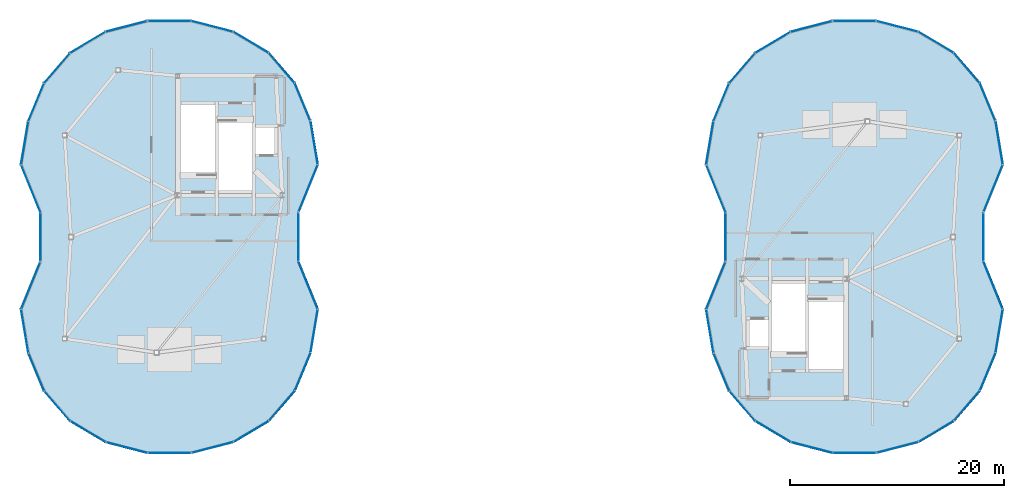
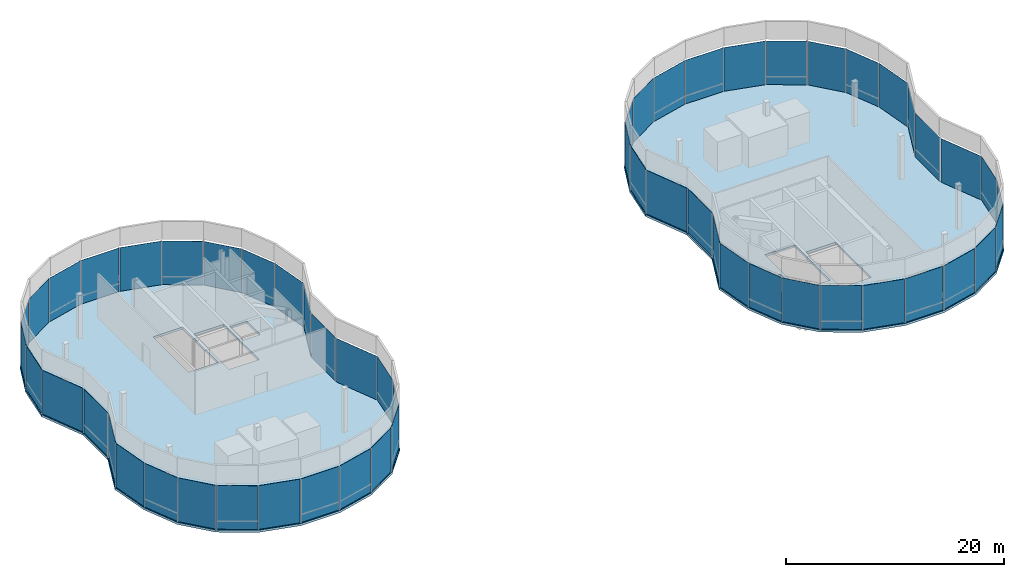
# One storey, part 9 of 14: 56 plates, 2 slabs, 8 elements without a shape of their own.
"""IFC4 building model written with IfcOpenShell, lengths in metres."""

from ifc_helpers import new_model, si_unit, direction, frame, origin, origin_2d, place, context, subcontext, project, spatial, polyline, rectangle, outline, extrude, material, layer, layer_set, type_object, element, aggregate, save


model = new_model("IFC4")

# Units and contexts
model_context = context("Model", 3, precision=1e-05, world=origin(), true_north=direction((0.0, 1.0)))
body_context = subcontext(model_context, "Body", "Model", "MODEL_VIEW")
ifc_project = project(units=[si_unit("LENGTHUNIT", "METRE"), si_unit("AREAUNIT", "SQUARE_METRE"), si_unit("VOLUMEUNIT", "CUBIC_METRE"), si_unit("PLANEANGLEUNIT", "RADIAN"), si_unit("MASSUNIT", "GRAM", prefix="KILO"), si_unit("THERMODYNAMICTEMPERATUREUNIT", "KELVIN"), si_unit("POWERUNIT", "WATT")], contexts=[model_context])

# Site, building, storey
site_placement = place(None, origin())
site = spatial("IfcSite", under=ifc_project, at=site_placement, CompositionType="ELEMENT")
building_placement = place(site_placement, origin())
building = spatial("IfcBuilding", under=site, at=building_placement, Name="Cundina Bronze Exchange", CompositionType="ELEMENT")
storey_placement = place(building_placement, frame((0.0, 0.0, 286.39990234375)))
storey = spatial("IfcBuildingStorey", under=building, at=storey_placement, Name="L76", CompositionType="ELEMENT", Elevation=286.39990234375)

# Curtain wall, plates
ifc_material_1 = material(Name="Anodised Bronze Aluminium 6063-T6", Category="aluminium")
curtain_wall_type = type_object("IfcCurtainWallType", Name="CWS-CRN-TMD", PredefinedType="NOTDEFINED", material=ifc_material_1)
curtain_wall_1_placement = place(storey_placement, origin())
curtain_wall_1 = element("IfcCurtainWall", 1, at=curtain_wall_1_placement, inside=storey, type_object=curtain_wall_type, Name="L76 CW-07 Curtain Wall Run CWR-L76-W1", PredefinedType="NOTDEFINED")
ifc_material_2 = material(Name="Clear Low-E Insulating Glass 26mm", Category="glass")
ifc_layer_1 = layer(ifc_material_2, 0.02587890625, Name="Clear Low-E Insulating Glass 26mm", Category="glass")
ifc_layer_set_1 = layer_set([ifc_layer_1], Name="Clear Low-E Insulating Glass 26mm")
plate_type = type_object("IfcPlateType", Name="PLT-GLZ-CLR26", PredefinedType="CURTAIN_PANEL", material=ifc_layer_set_1)
plate_1_placement = place(storey_placement, frame((-19.03662109375, 4.548828125, 0.02001953125), z_axis=(0.0, 0.0, 1.0), x_axis=(0.377549897355, 0.925989241302, 0.0)))
plate_1 = element("IfcPlate", 2, at=plate_1_placement, type_object=plate_type, Name="CW-07 Glazed Panel 1", PredefinedType="CURTAIN_PANEL", context=body_context, shape_type="SweptSolid", body=[
    extrude(rectangle(XDim=4.719970703125, YDim=0.02587890625, at=origin_2d()), origin(), (0.0, 0.0, 1.0), 4.889892578125),
])
plate_2_placement = place(storey_placement, frame((-18.47900390625, 8.779052734375, 0.02001953125), z_axis=(0.0, 0.0, 1.0), x_axis=(-0.165133674888, 0.986271194661, 0.0)))
plate_2 = element("IfcPlate", 3, at=plate_2_placement, type_object=plate_type, Name="CW-07 Glazed Panel 2", PredefinedType="CURTAIN_PANEL", context=body_context, shape_type="SweptSolid", body=[
    extrude(rectangle(XDim=4.082275390625, YDim=0.02587890625, at=origin_2d()), origin(), (0.0, 0.0, 1.0), 4.889892578125),
])
plate_3_placement = place(storey_placement, frame((-19.559326171875, 12.6005859375, 0.02001953125), z_axis=(0.0, 0.0, 1.0), x_axis=(-0.383666824421, 0.923471584749, 0.0)))
plate_3 = element("IfcPlate", 4, at=plate_3_placement, type_object=plate_type, Name="CW-07 Glazed Panel 3", PredefinedType="CURTAIN_PANEL", context=body_context, shape_type="SweptSolid", body=[
    extrude(rectangle(XDim=3.778076171875, YDim=0.02587890625, at=origin_2d()), origin(), (0.0, 0.0, 1.0), 4.889892578125),
])
plate_4_placement = place(storey_placement, frame((-21.5107421875, 15.78369140625, 0.02001953125), z_axis=(0.0, 0.0, 1.0), x_axis=(-0.652455593802, 0.757826957898, 0.0)))
plate_4 = element("IfcPlate", 5, at=plate_4_placement, type_object=plate_type, Name="CW-07 Glazed Panel 4", PredefinedType="CURTAIN_PANEL", context=body_context, shape_type="SweptSolid", body=[
    extrude(rectangle(XDim=3.668212890625, YDim=0.02587890625, at=origin_2d()), origin(), (0.0, 0.0, 1.0), 4.889892578125),
])
plate_5_placement = place(storey_placement, frame((-24.380615234375, 18.177978515625, 0.02001953125), z_axis=(0.0, 0.0, 1.0), x_axis=(-0.859780977976, 0.51066297096, 0.0)))
plate_5 = element("IfcPlate", 6, at=plate_5_placement, type_object=plate_type, Name="CW-07 Glazed Panel 5", PredefinedType="CURTAIN_PANEL", context=body_context, shape_type="SweptSolid", body=[
    extrude(rectangle(XDim=3.791259765625, YDim=0.02587890625, at=origin_2d()), origin(), (0.0, 0.0, 1.0), 4.889892578125),
])
plate_6_placement = place(storey_placement, frame((-27.989501953125, 19.666748046875, 0.02001953125), z_axis=(0.0, 0.0, 1.0), x_axis=(-0.968156379699, 0.250346209174, 0.0)))
plate_6 = element("IfcPlate", 7, at=plate_6_placement, type_object=plate_type, Name="CW-07 Glazed Panel 6", PredefinedType="CURTAIN_PANEL", context=body_context, shape_type="SweptSolid", body=[
    extrude(rectangle(XDim=3.972412109375, YDim=0.02587890625, at=origin_2d()), origin(), (0.0, 0.0, 1.0), 4.889892578125),
])
plate_7_placement = place(storey_placement, frame((-32.0, 20.172119140625, 0.02001953125), z_axis=(0.0, 0.0, 1.0), x_axis=(-1.0, 0.0, 0.0)))
plate_7 = element("IfcPlate", 8, at=plate_7_placement, type_object=plate_type, Name="CW-07 Glazed Panel 7", PredefinedType="CURTAIN_PANEL", context=body_context, shape_type="SweptSolid", body=[
    extrude(rectangle(XDim=4.048095703125, YDim=0.02587890625, at=origin_2d()), origin(), (0.0, 0.0, 1.0), 4.889892578125),
])
aggregate(curtain_wall_1, [plate_1, plate_2, plate_3, plate_4, plate_5, plate_6, plate_7])

curtain_wall_2_placement = place(storey_placement, origin())
curtain_wall_2 = element("IfcCurtainWall", 9, at=curtain_wall_2_placement, inside=storey, type_object=curtain_wall_type, Name="L76 CW-07 Curtain Wall Run CWR-L76-W2", PredefinedType="NOTDEFINED")
plate_8_placement = place(storey_placement, frame((-36.010498046875, 19.666748046875, 0.02001953125), z_axis=(0.0, 0.0, 1.0), x_axis=(-0.968156379699, -0.250346209174, 0.0)))
plate_8 = element("IfcPlate", 10, at=plate_8_placement, type_object=plate_type, Name="CW-07 Glazed Panel 1", PredefinedType="CURTAIN_PANEL", context=body_context, shape_type="SweptSolid", body=[
    extrude(rectangle(XDim=3.972412109375, YDim=0.02587890625, at=origin_2d()), origin(), (0.0, 0.0, 1.0), 4.889892578125),
])
plate_9_placement = place(storey_placement, frame((-39.619384765625, 18.177978515625, 0.02001953125), z_axis=(0.0, 0.0, 1.0), x_axis=(-0.859780977976, -0.51066297096, 0.0)))
plate_9 = element("IfcPlate", 11, at=plate_9_placement, type_object=plate_type, Name="CW-07 Glazed Panel 2", PredefinedType="CURTAIN_PANEL", context=body_context, shape_type="SweptSolid", body=[
    extrude(rectangle(XDim=3.791259765625, YDim=0.02587890625, at=origin_2d()), origin(), (0.0, 0.0, 1.0), 4.889892578125),
])
plate_10_placement = place(storey_placement, frame((-42.4892578125, 15.78369140625, 0.02001953125), z_axis=(0.0, 0.0, 1.0), x_axis=(-0.652455593802, -0.757826957898, 0.0)))
plate_10 = element("IfcPlate", 12, at=plate_10_placement, type_object=plate_type, Name="CW-07 Glazed Panel 3", PredefinedType="CURTAIN_PANEL", context=body_context, shape_type="SweptSolid", body=[
    extrude(rectangle(XDim=3.668212890625, YDim=0.02587890625, at=origin_2d()), origin(), (0.0, 0.0, 1.0), 4.889892578125),
])
plate_11_placement = place(storey_placement, frame((-44.440673828125, 12.6005859375, 0.02001953125), z_axis=(0.0, 0.0, 1.0), x_axis=(-0.383666824421, -0.923471584749, 0.0)))
plate_11 = element("IfcPlate", 13, at=plate_11_placement, type_object=plate_type, Name="CW-07 Glazed Panel 4", PredefinedType="CURTAIN_PANEL", context=body_context, shape_type="SweptSolid", body=[
    extrude(rectangle(XDim=3.778076171875, YDim=0.02587890625, at=origin_2d()), origin(), (0.0, 0.0, 1.0), 4.889892578125),
])
plate_12_placement = place(storey_placement, frame((-45.52099609375, 8.779052734375, 0.02001953125), z_axis=(0.0, 0.0, 1.0), x_axis=(-0.165133674888, -0.986271194661, 0.0)))
plate_12 = element("IfcPlate", 14, at=plate_12_placement, type_object=plate_type, Name="CW-07 Glazed Panel 5", PredefinedType="CURTAIN_PANEL", context=body_context, shape_type="SweptSolid", body=[
    extrude(rectangle(XDim=4.082275390625, YDim=0.02587890625, at=origin_2d()), origin(), (0.0, 0.0, 1.0), 4.889892578125),
])
plate_13_placement = place(storey_placement, frame((-44.96337890625, 4.548828125, 0.02001953125), z_axis=(0.0, 0.0, 1.0), x_axis=(0.377549897355, -0.925989241302, 0.0)))
plate_13 = element("IfcPlate", 15, at=plate_13_placement, type_object=plate_type, Name="CW-07 Glazed Panel 6", PredefinedType="CURTAIN_PANEL", context=body_context, shape_type="SweptSolid", body=[
    extrude(rectangle(XDim=4.719970703125, YDim=0.02587890625, at=origin_2d()), origin(), (0.0, 0.0, 1.0), 4.889892578125),
])
plate_14_placement = place(storey_placement, frame((-44.048095703125, 0.0, 0.02001953125), z_axis=(0.0, 0.0, 1.0), x_axis=(0.0, -1.0, 0.0)))
plate_14 = element("IfcPlate", 16, at=plate_14_placement, type_object=plate_type, Name="CW-07 Glazed Panel 7", PredefinedType="CURTAIN_PANEL", context=body_context, shape_type="SweptSolid", body=[
    extrude(rectangle(XDim=4.47802734375, YDim=0.02587890625, at=origin_2d()), origin(), (0.0, 0.0, 1.0), 4.889892578125),
])
aggregate(curtain_wall_2, [plate_8, plate_9, plate_10, plate_11, plate_12, plate_13, plate_14])

curtain_wall_3_placement = place(storey_placement, origin())
curtain_wall_3 = element("IfcCurtainWall", 17, at=curtain_wall_3_placement, inside=storey, type_object=curtain_wall_type, Name="L76 CW-07 Curtain Wall Run CWR-L76-W3", PredefinedType="NOTDEFINED")
plate_15_placement = place(storey_placement, frame((-44.96337890625, -4.548828125, 0.02001953125), z_axis=(0.0, 0.0, 1.0), x_axis=(-0.377549897355, -0.925989241302, 0.0)))
plate_15 = element("IfcPlate", 18, at=plate_15_placement, type_object=plate_type, Name="CW-07 Glazed Panel 1", PredefinedType="CURTAIN_PANEL", context=body_context, shape_type="SweptSolid", body=[
    extrude(rectangle(XDim=4.719970703125, YDim=0.02587890625, at=origin_2d()), origin(), (0.0, 0.0, 1.0), 4.889892578125),
])
plate_16_placement = place(storey_placement, frame((-45.52099609375, -8.779052734375, 0.02001953125), z_axis=(0.0, 0.0, 1.0), x_axis=(0.165133674888, -0.986271194661, 0.0)))
plate_16 = element("IfcPlate", 19, at=plate_16_placement, type_object=plate_type, Name="CW-07 Glazed Panel 2", PredefinedType="CURTAIN_PANEL", context=body_context, shape_type="SweptSolid", body=[
    extrude(rectangle(XDim=4.082275390625, YDim=0.02587890625, at=origin_2d()), origin(), (0.0, 0.0, 1.0), 4.889892578125),
])
plate_17_placement = place(storey_placement, frame((-44.440673828125, -12.6005859375, 0.02001953125), z_axis=(0.0, 0.0, 1.0), x_axis=(0.383666824421, -0.923471584749, 0.0)))
plate_17 = element("IfcPlate", 20, at=plate_17_placement, type_object=plate_type, Name="CW-07 Glazed Panel 3", PredefinedType="CURTAIN_PANEL", context=body_context, shape_type="SweptSolid", body=[
    extrude(rectangle(XDim=3.778076171875, YDim=0.02587890625, at=origin_2d()), origin(), (0.0, 0.0, 1.0), 4.889892578125),
])
plate_18_placement = place(storey_placement, frame((-42.4892578125, -15.78369140625, 0.02001953125), z_axis=(0.0, 0.0, 1.0), x_axis=(0.652455593802, -0.757826957898, 0.0)))
plate_18 = element("IfcPlate", 21, at=plate_18_placement, type_object=plate_type, Name="CW-07 Glazed Panel 4", PredefinedType="CURTAIN_PANEL", context=body_context, shape_type="SweptSolid", body=[
    extrude(rectangle(XDim=3.668212890625, YDim=0.02587890625, at=origin_2d()), origin(), (0.0, 0.0, 1.0), 4.889892578125),
])
plate_19_placement = place(storey_placement, frame((-39.619384765625, -18.177978515625, 0.02001953125), z_axis=(0.0, 0.0, 1.0), x_axis=(0.859780977976, -0.51066297096, 0.0)))
plate_19 = element("IfcPlate", 22, at=plate_19_placement, type_object=plate_type, Name="CW-07 Glazed Panel 5", PredefinedType="CURTAIN_PANEL", context=body_context, shape_type="SweptSolid", body=[
    extrude(rectangle(XDim=3.791259765625, YDim=0.02587890625, at=origin_2d()), origin(), (0.0, 0.0, 1.0), 4.889892578125),
])
plate_20_placement = place(storey_placement, frame((-36.010498046875, -19.666748046875, 0.02001953125), z_axis=(0.0, 0.0, 1.0), x_axis=(0.968156379699, -0.250346209174, 0.0)))
plate_20 = element("IfcPlate", 23, at=plate_20_placement, type_object=plate_type, Name="CW-07 Glazed Panel 6", PredefinedType="CURTAIN_PANEL", context=body_context, shape_type="SweptSolid", body=[
    extrude(rectangle(XDim=3.972412109375, YDim=0.02587890625, at=origin_2d()), origin(), (0.0, 0.0, 1.0), 4.889892578125),
])
plate_21_placement = place(storey_placement, frame((-32.0, -20.172119140625, 0.02001953125), z_axis=(0.0, 0.0, 1.0), x_axis=(1.0, 0.0, 0.0)))
plate_21 = element("IfcPlate", 24, at=plate_21_placement, type_object=plate_type, Name="CW-07 Glazed Panel 7", PredefinedType="CURTAIN_PANEL", context=body_context, shape_type="SweptSolid", body=[
    extrude(rectangle(XDim=4.048095703125, YDim=0.02587890625, at=origin_2d()), origin(), (0.0, 0.0, 1.0), 4.889892578125),
])
aggregate(curtain_wall_3, [plate_15, plate_16, plate_17, plate_18, plate_19, plate_20, plate_21])

curtain_wall_4_placement = place(storey_placement, origin())
curtain_wall_4 = element("IfcCurtainWall", 25, at=curtain_wall_4_placement, inside=storey, type_object=curtain_wall_type, Name="L76 CW-07 Curtain Wall Run CWR-L76-W4", PredefinedType="NOTDEFINED")
plate_22_placement = place(storey_placement, frame((-27.989501953125, -19.666748046875, 0.02001953125), z_axis=(0.0, 0.0, 1.0), x_axis=(0.968156379699, 0.250346209174, 0.0)))
plate_22 = element("IfcPlate", 26, at=plate_22_placement, type_object=plate_type, Name="CW-07 Glazed Panel 1", PredefinedType="CURTAIN_PANEL", context=body_context, shape_type="SweptSolid", body=[
    extrude(rectangle(XDim=3.972412109375, YDim=0.02587890625, at=origin_2d()), origin(), (0.0, 0.0, 1.0), 4.889892578125),
])
plate_23_placement = place(storey_placement, frame((-24.380615234375, -18.177978515625, 0.02001953125), z_axis=(0.0, 0.0, 1.0), x_axis=(0.859780977976, 0.51066297096, 0.0)))
plate_23 = element("IfcPlate", 27, at=plate_23_placement, type_object=plate_type, Name="CW-07 Glazed Panel 2", PredefinedType="CURTAIN_PANEL", context=body_context, shape_type="SweptSolid", body=[
    extrude(rectangle(XDim=3.791259765625, YDim=0.02587890625, at=origin_2d()), origin(), (0.0, 0.0, 1.0), 4.889892578125),
])
plate_24_placement = place(storey_placement, frame((-21.5107421875, -15.78369140625, 0.02001953125), z_axis=(0.0, 0.0, 1.0), x_axis=(0.652455593802, 0.757826957898, 0.0)))
plate_24 = element("IfcPlate", 28, at=plate_24_placement, type_object=plate_type, Name="CW-07 Glazed Panel 3", PredefinedType="CURTAIN_PANEL", context=body_context, shape_type="SweptSolid", body=[
    extrude(rectangle(XDim=3.668212890625, YDim=0.02587890625, at=origin_2d()), origin(), (0.0, 0.0, 1.0), 4.889892578125),
])
plate_25_placement = place(storey_placement, frame((-19.559326171875, -12.6005859375, 0.02001953125), z_axis=(0.0, 0.0, 1.0), x_axis=(0.383666824421, 0.923471584749, 0.0)))
plate_25 = element("IfcPlate", 29, at=plate_25_placement, type_object=plate_type, Name="CW-07 Glazed Panel 4", PredefinedType="CURTAIN_PANEL", context=body_context, shape_type="SweptSolid", body=[
    extrude(rectangle(XDim=3.778076171875, YDim=0.02587890625, at=origin_2d()), origin(), (0.0, 0.0, 1.0), 4.889892578125),
])
plate_26_placement = place(storey_placement, frame((-18.47900390625, -8.779052734375, 0.02001953125), z_axis=(0.0, 0.0, 1.0), x_axis=(0.165133674888, 0.986271194661, 0.0)))
plate_26 = element("IfcPlate", 30, at=plate_26_placement, type_object=plate_type, Name="CW-07 Glazed Panel 5", PredefinedType="CURTAIN_PANEL", context=body_context, shape_type="SweptSolid", body=[
    extrude(rectangle(XDim=4.082275390625, YDim=0.02587890625, at=origin_2d()), origin(), (0.0, 0.0, 1.0), 4.889892578125),
])
plate_27_placement = place(storey_placement, frame((-19.03662109375, -4.548828125, 0.02001953125), z_axis=(0.0, 0.0, 1.0), x_axis=(-0.377549897355, 0.925989241302, 0.0)))
plate_27 = element("IfcPlate", 31, at=plate_27_placement, type_object=plate_type, Name="CW-07 Glazed Panel 6", PredefinedType="CURTAIN_PANEL", context=body_context, shape_type="SweptSolid", body=[
    extrude(rectangle(XDim=4.719970703125, YDim=0.02587890625, at=origin_2d()), origin(), (0.0, 0.0, 1.0), 4.889892578125),
])
plate_28_placement = place(storey_placement, frame((-19.951904296875, 0.0, 0.02001953125), z_axis=(0.0, 0.0, 1.0), x_axis=(0.0, 1.0, 0.0)))
plate_28 = element("IfcPlate", 32, at=plate_28_placement, type_object=plate_type, Name="CW-07 Glazed Panel 7", PredefinedType="CURTAIN_PANEL", context=body_context, shape_type="SweptSolid", body=[
    extrude(rectangle(XDim=4.47802734375, YDim=0.02587890625, at=origin_2d()), origin(), (0.0, 0.0, 1.0), 4.889892578125),
])
aggregate(curtain_wall_4, [plate_22, plate_23, plate_24, plate_25, plate_26, plate_27, plate_28])

curtain_wall_5_placement = place(storey_placement, origin())
curtain_wall_5 = element("IfcCurtainWall", 33, at=curtain_wall_5_placement, inside=storey, type_object=curtain_wall_type, Name="L76 CW-07 Curtain Wall Run CWR-L76-E1", PredefinedType="NOTDEFINED")
plate_29_placement = place(storey_placement, frame((44.96337890625, 4.548828125, 0.02001953125), z_axis=(0.0, 0.0, 1.0), x_axis=(0.377549897355, 0.925989241302, 0.0)))
plate_29 = element("IfcPlate", 34, at=plate_29_placement, type_object=plate_type, Name="CW-07 Glazed Panel 1", PredefinedType="CURTAIN_PANEL", context=body_context, shape_type="SweptSolid", body=[
    extrude(rectangle(XDim=4.719970703125, YDim=0.02587890625, at=origin_2d()), origin(), (0.0, 0.0, 1.0), 4.889892578125),
])
plate_30_placement = place(storey_placement, frame((45.52099609375, 8.779052734375, 0.02001953125), z_axis=(0.0, 0.0, 1.0), x_axis=(-0.165133674888, 0.986271194661, 0.0)))
plate_30 = element("IfcPlate", 35, at=plate_30_placement, type_object=plate_type, Name="CW-07 Glazed Panel 2", PredefinedType="CURTAIN_PANEL", context=body_context, shape_type="SweptSolid", body=[
    extrude(rectangle(XDim=4.082275390625, YDim=0.02587890625, at=origin_2d()), origin(), (0.0, 0.0, 1.0), 4.889892578125),
])
plate_31_placement = place(storey_placement, frame((44.440673828125, 12.6005859375, 0.02001953125), z_axis=(0.0, 0.0, 1.0), x_axis=(-0.383666824421, 0.923471584749, 0.0)))
plate_31 = element("IfcPlate", 36, at=plate_31_placement, type_object=plate_type, Name="CW-07 Glazed Panel 3", PredefinedType="CURTAIN_PANEL", context=body_context, shape_type="SweptSolid", body=[
    extrude(rectangle(XDim=3.778076171875, YDim=0.02587890625, at=origin_2d()), origin(), (0.0, 0.0, 1.0), 4.889892578125),
])
plate_32_placement = place(storey_placement, frame((42.4892578125, 15.78369140625, 0.02001953125), z_axis=(0.0, 0.0, 1.0), x_axis=(-0.652455593802, 0.757826957898, 0.0)))
plate_32 = element("IfcPlate", 37, at=plate_32_placement, type_object=plate_type, Name="CW-07 Glazed Panel 4", PredefinedType="CURTAIN_PANEL", context=body_context, shape_type="SweptSolid", body=[
    extrude(rectangle(XDim=3.668212890625, YDim=0.02587890625, at=origin_2d()), origin(), (0.0, 0.0, 1.0), 4.889892578125),
])
plate_33_placement = place(storey_placement, frame((39.619384765625, 18.177978515625, 0.02001953125), z_axis=(0.0, 0.0, 1.0), x_axis=(-0.859780977976, 0.51066297096, 0.0)))
plate_33 = element("IfcPlate", 38, at=plate_33_placement, type_object=plate_type, Name="CW-07 Glazed Panel 5", PredefinedType="CURTAIN_PANEL", context=body_context, shape_type="SweptSolid", body=[
    extrude(rectangle(XDim=3.791259765625, YDim=0.02587890625, at=origin_2d()), origin(), (0.0, 0.0, 1.0), 4.889892578125),
])
plate_34_placement = place(storey_placement, frame((36.010498046875, 19.666748046875, 0.02001953125), z_axis=(0.0, 0.0, 1.0), x_axis=(-0.968156379699, 0.250346209174, 0.0)))
plate_34 = element("IfcPlate", 39, at=plate_34_placement, type_object=plate_type, Name="CW-07 Glazed Panel 6", PredefinedType="CURTAIN_PANEL", context=body_context, shape_type="SweptSolid", body=[
    extrude(rectangle(XDim=3.972412109375, YDim=0.02587890625, at=origin_2d()), origin(), (0.0, 0.0, 1.0), 4.889892578125),
])
plate_35_placement = place(storey_placement, frame((32.0, 20.172119140625, 0.02001953125), z_axis=(0.0, 0.0, 1.0), x_axis=(-1.0, 0.0, 0.0)))
plate_35 = element("IfcPlate", 40, at=plate_35_placement, type_object=plate_type, Name="CW-07 Glazed Panel 7", PredefinedType="CURTAIN_PANEL", context=body_context, shape_type="SweptSolid", body=[
    extrude(rectangle(XDim=4.048095703125, YDim=0.02587890625, at=origin_2d()), origin(), (0.0, 0.0, 1.0), 4.889892578125),
])
aggregate(curtain_wall_5, [plate_29, plate_30, plate_31, plate_32, plate_33, plate_34, plate_35])

curtain_wall_6_placement = place(storey_placement, origin())
curtain_wall_6 = element("IfcCurtainWall", 41, at=curtain_wall_6_placement, inside=storey, type_object=curtain_wall_type, Name="L76 CW-07 Curtain Wall Run CWR-L76-E2", PredefinedType="NOTDEFINED")
plate_36_placement = place(storey_placement, frame((27.989501953125, 19.666748046875, 0.02001953125), z_axis=(0.0, 0.0, 1.0), x_axis=(-0.968156379699, -0.250346209174, 0.0)))
plate_36 = element("IfcPlate", 42, at=plate_36_placement, type_object=plate_type, Name="CW-07 Glazed Panel 1", PredefinedType="CURTAIN_PANEL", context=body_context, shape_type="SweptSolid", body=[
    extrude(rectangle(XDim=3.972412109375, YDim=0.02587890625, at=origin_2d()), origin(), (0.0, 0.0, 1.0), 4.889892578125),
])
plate_37_placement = place(storey_placement, frame((24.380615234375, 18.177978515625, 0.02001953125), z_axis=(0.0, 0.0, 1.0), x_axis=(-0.859780977976, -0.51066297096, 0.0)))
plate_37 = element("IfcPlate", 43, at=plate_37_placement, type_object=plate_type, Name="CW-07 Glazed Panel 2", PredefinedType="CURTAIN_PANEL", context=body_context, shape_type="SweptSolid", body=[
    extrude(rectangle(XDim=3.791259765625, YDim=0.02587890625, at=origin_2d()), origin(), (0.0, 0.0, 1.0), 4.889892578125),
])
plate_38_placement = place(storey_placement, frame((21.5107421875, 15.78369140625, 0.02001953125), z_axis=(0.0, 0.0, 1.0), x_axis=(-0.652455593802, -0.757826957898, 0.0)))
plate_38 = element("IfcPlate", 44, at=plate_38_placement, type_object=plate_type, Name="CW-07 Glazed Panel 3", PredefinedType="CURTAIN_PANEL", context=body_context, shape_type="SweptSolid", body=[
    extrude(rectangle(XDim=3.668212890625, YDim=0.02587890625, at=origin_2d()), origin(), (0.0, 0.0, 1.0), 4.889892578125),
])
plate_39_placement = place(storey_placement, frame((19.559326171875, 12.6005859375, 0.02001953125), z_axis=(0.0, 0.0, 1.0), x_axis=(-0.383666824421, -0.923471584749, 0.0)))
plate_39 = element("IfcPlate", 45, at=plate_39_placement, type_object=plate_type, Name="CW-07 Glazed Panel 4", PredefinedType="CURTAIN_PANEL", context=body_context, shape_type="SweptSolid", body=[
    extrude(rectangle(XDim=3.778076171875, YDim=0.02587890625, at=origin_2d()), origin(), (0.0, 0.0, 1.0), 4.889892578125),
])
plate_40_placement = place(storey_placement, frame((18.47900390625, 8.779052734375, 0.02001953125), z_axis=(0.0, 0.0, 1.0), x_axis=(-0.165133674888, -0.986271194661, 0.0)))
plate_40 = element("IfcPlate", 46, at=plate_40_placement, type_object=plate_type, Name="CW-07 Glazed Panel 5", PredefinedType="CURTAIN_PANEL", context=body_context, shape_type="SweptSolid", body=[
    extrude(rectangle(XDim=4.082275390625, YDim=0.02587890625, at=origin_2d()), origin(), (0.0, 0.0, 1.0), 4.889892578125),
])
plate_41_placement = place(storey_placement, frame((19.03662109375, 4.548828125, 0.02001953125), z_axis=(0.0, 0.0, 1.0), x_axis=(0.377549897355, -0.925989241302, 0.0)))
plate_41 = element("IfcPlate", 47, at=plate_41_placement, type_object=plate_type, Name="CW-07 Glazed Panel 6", PredefinedType="CURTAIN_PANEL", context=body_context, shape_type="SweptSolid", body=[
    extrude(rectangle(XDim=4.719970703125, YDim=0.02587890625, at=origin_2d()), origin(), (0.0, 0.0, 1.0), 4.889892578125),
])
plate_42_placement = place(storey_placement, frame((19.951904296875, 0.0, 0.02001953125), z_axis=(0.0, 0.0, 1.0), x_axis=(0.0, -1.0, 0.0)))
plate_42 = element("IfcPlate", 48, at=plate_42_placement, type_object=plate_type, Name="CW-07 Glazed Panel 7", PredefinedType="CURTAIN_PANEL", context=body_context, shape_type="SweptSolid", body=[
    extrude(rectangle(XDim=4.47802734375, YDim=0.02587890625, at=origin_2d()), origin(), (0.0, 0.0, 1.0), 4.889892578125),
])
aggregate(curtain_wall_6, [plate_36, plate_37, plate_38, plate_39, plate_40, plate_41, plate_42])

curtain_wall_7_placement = place(storey_placement, origin())
curtain_wall_7 = element("IfcCurtainWall", 49, at=curtain_wall_7_placement, inside=storey, type_object=curtain_wall_type, Name="L76 CW-07 Curtain Wall Run CWR-L76-E3", PredefinedType="NOTDEFINED")
plate_43_placement = place(storey_placement, frame((19.03662109375, -4.548828125, 0.02001953125), z_axis=(0.0, 0.0, 1.0), x_axis=(-0.377549897355, -0.925989241302, 0.0)))
plate_43 = element("IfcPlate", 50, at=plate_43_placement, type_object=plate_type, Name="CW-07 Glazed Panel 1", PredefinedType="CURTAIN_PANEL", context=body_context, shape_type="SweptSolid", body=[
    extrude(rectangle(XDim=4.719970703125, YDim=0.02587890625, at=origin_2d()), origin(), (0.0, 0.0, 1.0), 4.889892578125),
])
plate_44_placement = place(storey_placement, frame((18.47900390625, -8.779052734375, 0.02001953125), z_axis=(0.0, 0.0, 1.0), x_axis=(0.165133674888, -0.986271194661, 0.0)))
plate_44 = element("IfcPlate", 51, at=plate_44_placement, type_object=plate_type, Name="CW-07 Glazed Panel 2", PredefinedType="CURTAIN_PANEL", context=body_context, shape_type="SweptSolid", body=[
    extrude(rectangle(XDim=4.082275390625, YDim=0.02587890625, at=origin_2d()), origin(), (0.0, 0.0, 1.0), 4.889892578125),
])
plate_45_placement = place(storey_placement, frame((19.559326171875, -12.6005859375, 0.02001953125), z_axis=(0.0, 0.0, 1.0), x_axis=(0.383666824421, -0.923471584749, 0.0)))
plate_45 = element("IfcPlate", 52, at=plate_45_placement, type_object=plate_type, Name="CW-07 Glazed Panel 3", PredefinedType="CURTAIN_PANEL", context=body_context, shape_type="SweptSolid", body=[
    extrude(rectangle(XDim=3.778076171875, YDim=0.02587890625, at=origin_2d()), origin(), (0.0, 0.0, 1.0), 4.889892578125),
])
plate_46_placement = place(storey_placement, frame((21.5107421875, -15.78369140625, 0.02001953125), z_axis=(0.0, 0.0, 1.0), x_axis=(0.652455593802, -0.757826957898, 0.0)))
plate_46 = element("IfcPlate", 53, at=plate_46_placement, type_object=plate_type, Name="CW-07 Glazed Panel 4", PredefinedType="CURTAIN_PANEL", context=body_context, shape_type="SweptSolid", body=[
    extrude(rectangle(XDim=3.668212890625, YDim=0.02587890625, at=origin_2d()), origin(), (0.0, 0.0, 1.0), 4.889892578125),
])
plate_47_placement = place(storey_placement, frame((24.380615234375, -18.177978515625, 0.02001953125), z_axis=(0.0, 0.0, 1.0), x_axis=(0.859780977976, -0.51066297096, 0.0)))
plate_47 = element("IfcPlate", 54, at=plate_47_placement, type_object=plate_type, Name="CW-07 Glazed Panel 5", PredefinedType="CURTAIN_PANEL", context=body_context, shape_type="SweptSolid", body=[
    extrude(rectangle(XDim=3.791259765625, YDim=0.02587890625, at=origin_2d()), origin(), (0.0, 0.0, 1.0), 4.889892578125),
])
plate_48_placement = place(storey_placement, frame((27.989501953125, -19.666748046875, 0.02001953125), z_axis=(0.0, 0.0, 1.0), x_axis=(0.968156379699, -0.250346209174, 0.0)))
plate_48 = element("IfcPlate", 55, at=plate_48_placement, type_object=plate_type, Name="CW-07 Glazed Panel 6", PredefinedType="CURTAIN_PANEL", context=body_context, shape_type="SweptSolid", body=[
    extrude(rectangle(XDim=3.972412109375, YDim=0.02587890625, at=origin_2d()), origin(), (0.0, 0.0, 1.0), 4.889892578125),
])
plate_49_placement = place(storey_placement, frame((32.0, -20.172119140625, 0.02001953125), z_axis=(0.0, 0.0, 1.0), x_axis=(1.0, 0.0, 0.0)))
plate_49 = element("IfcPlate", 56, at=plate_49_placement, type_object=plate_type, Name="CW-07 Glazed Panel 7", PredefinedType="CURTAIN_PANEL", context=body_context, shape_type="SweptSolid", body=[
    extrude(rectangle(XDim=4.048095703125, YDim=0.02587890625, at=origin_2d()), origin(), (0.0, 0.0, 1.0), 4.889892578125),
])
aggregate(curtain_wall_7, [plate_43, plate_44, plate_45, plate_46, plate_47, plate_48, plate_49])

curtain_wall_8_placement = place(storey_placement, origin())
curtain_wall_8 = element("IfcCurtainWall", 57, at=curtain_wall_8_placement, inside=storey, type_object=curtain_wall_type, Name="L76 CW-07 Curtain Wall Run CWR-L76-E4", PredefinedType="NOTDEFINED")
plate_50_placement = place(storey_placement, frame((36.010498046875, -19.666748046875, 0.02001953125), z_axis=(0.0, 0.0, 1.0), x_axis=(0.968156379699, 0.250346209174, 0.0)))
plate_50 = element("IfcPlate", 58, at=plate_50_placement, type_object=plate_type, Name="CW-07 Glazed Panel 1", PredefinedType="CURTAIN_PANEL", context=body_context, shape_type="SweptSolid", body=[
    extrude(rectangle(XDim=3.972412109375, YDim=0.02587890625, at=origin_2d()), origin(), (0.0, 0.0, 1.0), 4.889892578125),
])
plate_51_placement = place(storey_placement, frame((39.619384765625, -18.177978515625, 0.02001953125), z_axis=(0.0, 0.0, 1.0), x_axis=(0.859780977976, 0.51066297096, 0.0)))
plate_51 = element("IfcPlate", 59, at=plate_51_placement, type_object=plate_type, Name="CW-07 Glazed Panel 2", PredefinedType="CURTAIN_PANEL", context=body_context, shape_type="SweptSolid", body=[
    extrude(rectangle(XDim=3.791259765625, YDim=0.02587890625, at=origin_2d()), origin(), (0.0, 0.0, 1.0), 4.889892578125),
])
plate_52_placement = place(storey_placement, frame((42.4892578125, -15.78369140625, 0.02001953125), z_axis=(0.0, 0.0, 1.0), x_axis=(0.652455593802, 0.757826957898, 0.0)))
plate_52 = element("IfcPlate", 60, at=plate_52_placement, type_object=plate_type, Name="CW-07 Glazed Panel 3", PredefinedType="CURTAIN_PANEL", context=body_context, shape_type="SweptSolid", body=[
    extrude(rectangle(XDim=3.668212890625, YDim=0.02587890625, at=origin_2d()), origin(), (0.0, 0.0, 1.0), 4.889892578125),
])
plate_53_placement = place(storey_placement, frame((44.440673828125, -12.6005859375, 0.02001953125), z_axis=(0.0, 0.0, 1.0), x_axis=(0.383666824421, 0.923471584749, 0.0)))
plate_53 = element("IfcPlate", 61, at=plate_53_placement, type_object=plate_type, Name="CW-07 Glazed Panel 4", PredefinedType="CURTAIN_PANEL", context=body_context, shape_type="SweptSolid", body=[
    extrude(rectangle(XDim=3.778076171875, YDim=0.02587890625, at=origin_2d()), origin(), (0.0, 0.0, 1.0), 4.889892578125),
])
plate_54_placement = place(storey_placement, frame((45.52099609375, -8.779052734375, 0.02001953125), z_axis=(0.0, 0.0, 1.0), x_axis=(0.165133674888, 0.986271194661, 0.0)))
plate_54 = element("IfcPlate", 62, at=plate_54_placement, type_object=plate_type, Name="CW-07 Glazed Panel 5", PredefinedType="CURTAIN_PANEL", context=body_context, shape_type="SweptSolid", body=[
    extrude(rectangle(XDim=4.082275390625, YDim=0.02587890625, at=origin_2d()), origin(), (0.0, 0.0, 1.0), 4.889892578125),
])
plate_55_placement = place(storey_placement, frame((44.96337890625, -4.548828125, 0.02001953125), z_axis=(0.0, 0.0, 1.0), x_axis=(-0.377549897355, 0.925989241302, 0.0)))
plate_55 = element("IfcPlate", 63, at=plate_55_placement, type_object=plate_type, Name="CW-07 Glazed Panel 6", PredefinedType="CURTAIN_PANEL", context=body_context, shape_type="SweptSolid", body=[
    extrude(rectangle(XDim=4.719970703125, YDim=0.02587890625, at=origin_2d()), origin(), (0.0, 0.0, 1.0), 4.889892578125),
])
plate_56_placement = place(storey_placement, frame((44.048095703125, 0.0, 0.02001953125), z_axis=(0.0, 0.0, 1.0), x_axis=(0.0, 1.0, 0.0)))
plate_56 = element("IfcPlate", 64, at=plate_56_placement, type_object=plate_type, Name="CW-07 Glazed Panel 7", PredefinedType="CURTAIN_PANEL", context=body_context, shape_type="SweptSolid", body=[
    extrude(rectangle(XDim=4.47802734375, YDim=0.02587890625, at=origin_2d()), origin(), (0.0, 0.0, 1.0), 4.889892578125),
])
aggregate(curtain_wall_8, [plate_50, plate_51, plate_52, plate_53, plate_54, plate_55, plate_56])

# Slabs
ifc_material_3 = material(Name="Concrete C50/60", Category="concrete")
ifc_layer_2 = layer(ifc_material_3, 0.260009765625, Name="Concrete C50/60", Category="concrete")
ifc_layer_set_2 = layer_set([ifc_layer_2], Name="Concrete C50/60")
slab_type = type_object("IfcSlabType", Name="SLB-OFF-260", PredefinedType="FLOOR", material=ifc_layer_set_2)
slab_1_placement = place(storey_placement, frame((0.0, 0.0, -0.260009765625)))
element("IfcSlab", 65, at=slab_1_placement, inside=storey, type_object=slab_type, Name="L76 Leg W Structural Floor Slab", PredefinedType="FLOOR", context=body_context, shape_type="SweptSolid", body=[
    extrude(outline(polyline([(-19.85205078125, 2.283935546875), (-18.035888671875, 6.738037109375), (-18.72509765625, 10.85302734375), (-20.208984375, 14.425048828125), (-22.660888671875, 17.27294921875), (-25.998046875, 19.2548828125), (-29.930908203125, 20.27197265625), (-34.069091796875, 20.27197265625), (-38.001953125, 19.2548828125), (-41.339111328125, 17.27294921875), (-43.791015625, 14.425048828125), (-45.27490234375, 10.85302734375), (-45.964111328125, 6.738037109375), (-44.14794921875, 2.283935546875), (-44.14794921875, -2.283935546875), (-45.964111328125, -6.738037109375), (-45.27490234375, -10.85302734375), (-43.791015625, -14.425048828125), (-41.339111328125, -17.27294921875), (-38.001953125, -19.2548828125), (-34.069091796875, -20.27197265625), (-29.930908203125, -20.27197265625), (-25.998046875, -19.2548828125), (-22.660888671875, -17.27294921875), (-20.208984375, -14.425048828125), (-18.72509765625, -10.85302734375), (-18.035888671875, -6.738037109375), (-19.85205078125, -2.283935546875), (-19.85205078125, 2.283935546875)]), holes=[polyline([(-27.739990234375, 5.85009765625), (-27.739990234375, 12.35009765625), (-30.89990234375, 12.35009765625), (-30.89990234375, 5.85009765625), (-27.739990234375, 5.85009765625)]), polyline([(-27.43994140625, 10.85009765625), (-27.43994140625, 4.35009765625), (-24.280029296875, 4.35009765625), (-24.280029296875, 10.85009765625), (-27.43994140625, 10.85009765625)]), polyline([(-23.97998046875, 10.25), (-22.179931640625, 10.25), (-22.179931640625, 7.75), (-23.97998046875, 7.75), (-23.97998046875, 10.25)])]), origin(), (0.0, 0.0, 1.0), 0.260009765625),
])
slab_2_placement = place(storey_placement, frame((0.0, 0.0, -0.260009765625)))
element("IfcSlab", 66, at=slab_2_placement, inside=storey, type_object=slab_type, Name="L76 Leg E Structural Floor Slab", PredefinedType="FLOOR", context=body_context, shape_type="SweptSolid", body=[
    extrude(outline(polyline([(44.14794921875, 2.283935546875), (45.964111328125, 6.738037109375), (45.27490234375, 10.85302734375), (43.791015625, 14.425048828125), (41.339111328125, 17.27294921875), (38.001953125, 19.2548828125), (34.069091796875, 20.27197265625), (29.930908203125, 20.27197265625), (25.998046875, 19.2548828125), (22.660888671875, 17.27294921875), (20.208984375, 14.425048828125), (18.72509765625, 10.85302734375), (18.035888671875, 6.738037109375), (19.85205078125, 2.283935546875), (19.85205078125, -2.283935546875), (18.035888671875, -6.738037109375), (18.72509765625, -10.85302734375), (20.208984375, -14.425048828125), (22.660888671875, -17.27294921875), (25.998046875, -19.2548828125), (29.930908203125, -20.27197265625), (34.069091796875, -20.27197265625), (38.001953125, -19.2548828125), (41.339111328125, -17.27294921875), (43.791015625, -14.425048828125), (45.27490234375, -10.85302734375), (45.964111328125, -6.738037109375), (44.14794921875, -2.283935546875), (44.14794921875, 2.283935546875)]), holes=[polyline([(27.739990234375, -5.85009765625), (27.739990234375, -12.35009765625), (30.89990234375, -12.35009765625), (30.89990234375, -5.85009765625), (27.739990234375, -5.85009765625)]), polyline([(27.43994140625, -10.85009765625), (27.43994140625, -4.35009765625), (24.280029296875, -4.35009765625), (24.280029296875, -10.85009765625), (27.43994140625, -10.85009765625)]), polyline([(22.179931640625, -7.75), (23.97998046875, -7.75), (23.97998046875, -10.25), (22.179931640625, -10.25), (22.179931640625, -7.75)])]), origin(), (0.0, 0.0, 1.0), 0.260009765625),
])

save(model, "model.ifc")
